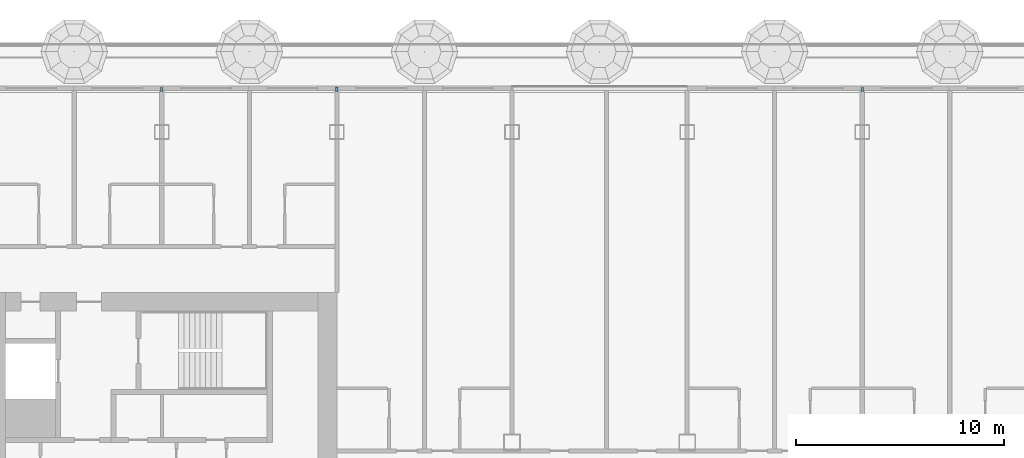
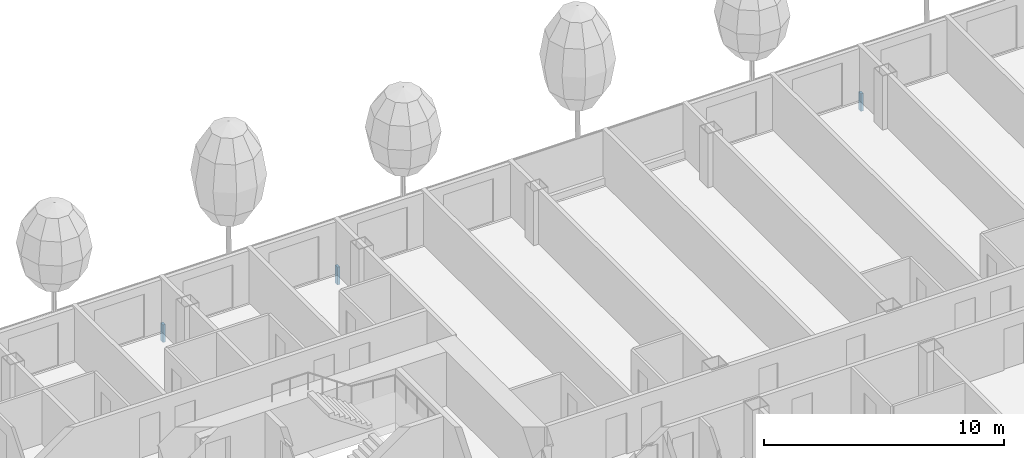
# One storey, part 9 of 32: 3 members, 1 element without a shape of its own.
"""IFC4 building model written with IfcOpenShell, lengths in metres."""

from ifc_helpers import new_model, si_unit, direction, frame, origin, origin_2d, place, context, subcontext, project, spatial, rectangle, extrude, material, layer, layer_set, material_profile, profile_set, type_object, element, aggregate, save


model = new_model("IFC4")

# Units and contexts
model_context = context("Model", 3, precision=1e-05, world=origin(), true_north=direction((0.0, 1.0)))
body_context = subcontext(model_context, "Body", "Model", "MODEL_VIEW")
ifc_project = project(units=[si_unit("LENGTHUNIT", "METRE"), si_unit("AREAUNIT", "SQUARE_METRE"), si_unit("VOLUMEUNIT", "CUBIC_METRE"), si_unit("PLANEANGLEUNIT", "RADIAN"), si_unit("MASSUNIT", "GRAM", prefix="KILO")], contexts=[model_context])

# Site, building, storey
site_placement = place(None, origin())
site = spatial("IfcSite", under=ifc_project, at=site_placement, CompositionType="ELEMENT")
building_placement = place(site_placement, origin())
building = spatial("IfcBuilding", under=site, at=building_placement, Name="Hakoniwa Tower and Hamabe Station Hall", CompositionType="ELEMENT")
storey_placement = place(building_placement, frame((0.0, 0.0, 150.199951171875)))
storey = spatial("IfcBuildingStorey", under=building, at=storey_placement, Name="L42", CompositionType="ELEMENT", Elevation=150.199951171875)

# Curtain wall, members
ifc_material_1 = material(Name="Dark low-e laminated glass", Category="glass")
ifc_layer = layer(ifc_material_1, 0.199951171875)
ifc_layer_set = layer_set([ifc_layer], Name="CW-1 UNITISED GUEST")
curtain_wall_type = type_object("IfcCurtainWallType", Name="CW-1 UNITISED GUEST", PredefinedType="NOTDEFINED", material=ifc_layer_set)
curtain_wall_placement = place(storey_placement, origin())
curtain_wall = element("IfcCurtainWall", 1, at=curtain_wall_placement, inside=storey, type_object=curtain_wall_type, Name="CW-1 curtain wall", PredefinedType="NOTDEFINED")
ifc_material_2 = material(Name="Aluminium 6063-T5 black anodised", Category="aluminium")
ifc_material_profile = material_profile(ifc_material_2, rectangle(XDim=0.199951171875, YDim=0.89990234375, at=origin_2d()), Name="CW SLAB-EDGE BAND 900X200")
ifc_profile_set = profile_set([ifc_material_profile], Name="Aluminium 6063-T5 black anodised")
member_type = type_object("IfcMemberType", Name="CW SLAB-EDGE BAND 900X200", PredefinedType="USERDEFINED", material=ifc_profile_set)
member_1_placement = place(storey_placement, frame((8.4599609375, 18.14990234375, -0.099853515625), z_axis=(-1.0, 0.0, 0.0), x_axis=(0.0, -1.0, 0.0)))
member_1 = element("IfcMember", 2, at=member_1_placement, type_object=member_type, Name="CW-1 transom", ObjectType="TRANSOM", PredefinedType="USERDEFINED", context=body_context, shape_type="SweptSolid", body=[
    extrude(rectangle(XDim=0.199951171875, YDim=0.89990234375, at=origin_2d()), origin(), (0.0, 0.0, 1.0), 0.119873046875),
])
member_2_placement = place(storey_placement, frame((-16.739990234375, 18.14990234375, -0.099853515625), z_axis=(-1.0, 0.0, 0.0), x_axis=(0.0, -1.0, 0.0)))
member_2 = element("IfcMember", 3, at=member_2_placement, type_object=member_type, Name="CW-1 transom", ObjectType="TRANSOM", PredefinedType="USERDEFINED", context=body_context, shape_type="SweptSolid", body=[
    extrude(rectangle(XDim=0.199951171875, YDim=0.89990234375, at=origin_2d()), origin(), (0.0, 0.0, 1.0), 0.1201171875),
])
member_3_placement = place(storey_placement, frame((-25.139892578125, 18.14990234375, -0.099853515625), z_axis=(-1.0, 0.0, 0.0), x_axis=(0.0, -1.0, 0.0)))
member_3 = element("IfcMember", 4, at=member_3_placement, type_object=member_type, Name="CW-1 transom", ObjectType="TRANSOM", PredefinedType="USERDEFINED", context=body_context, shape_type="SweptSolid", body=[
    extrude(rectangle(XDim=0.199951171875, YDim=0.89990234375, at=origin_2d()), origin(), (0.0, 0.0, 1.0), 0.1201171875),
])
aggregate(curtain_wall, [member_1, member_2, member_3])

save(model, "model.ifc")
